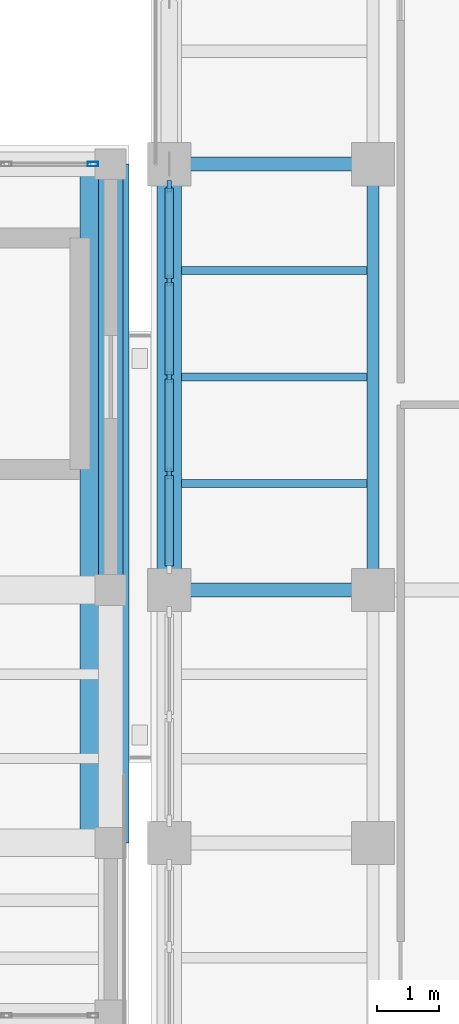
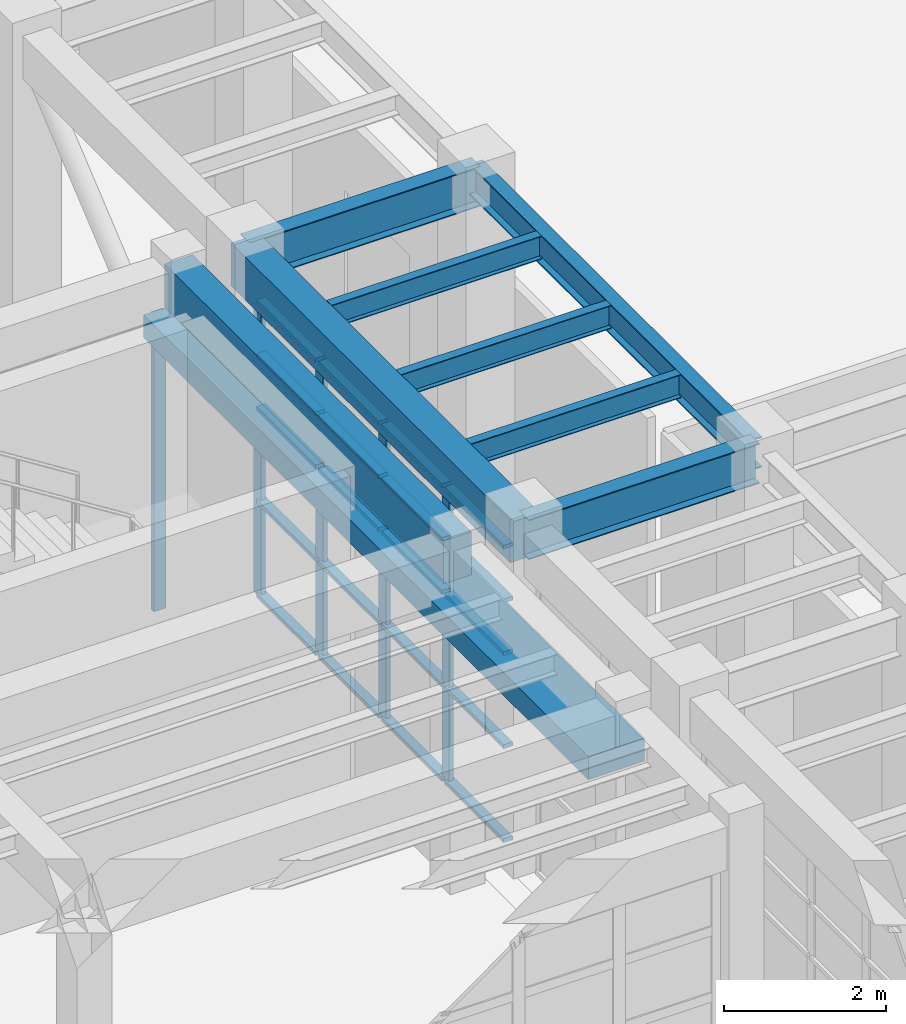
# One storey, part 38 of 103: 25 members, 9 beams, 2 elements without a shape of their own.
"""IFC4 building model written with IfcOpenShell, lengths in metres."""

from ifc_helpers import new_model, si_unit, direction, frame, origin, origin_2d, place, context, subcontext, project, spatial, rectangle, hollow_rectangle, i_section, extrude, material, layer, layer_set, material_profile, profile_set, type_object, element, aggregate, save


model = new_model("IFC4")

# Units and contexts
model_context = context("Model", 3, precision=1e-05, world=origin(), true_north=direction((0.0, 1.0)))
body_context = subcontext(model_context, "Body", "Model", "MODEL_VIEW")
ifc_project = project(units=[si_unit("LENGTHUNIT", "METRE"), si_unit("AREAUNIT", "SQUARE_METRE"), si_unit("VOLUMEUNIT", "CUBIC_METRE"), si_unit("PLANEANGLEUNIT", "RADIAN"), si_unit("MASSUNIT", "GRAM", prefix="KILO")], contexts=[model_context])

# Site, building, storey
site_placement = place(None, origin())
site = spatial("IfcSite", under=ifc_project, at=site_placement, CompositionType="ELEMENT")
building_placement = place(site_placement, origin())
building = spatial("IfcBuilding", under=site, at=building_placement, Name="Candilejo Ridge Gondola Terminal", CompositionType="ELEMENT")
storey_placement = place(building_placement, frame((0.0, 0.0, 9.0)))
storey = spatial("IfcBuildingStorey", under=building, at=storey_placement, Name="L02", CompositionType="ELEMENT", Elevation=9.0)

# Curtain wall, member
ifc_material_1 = material(Name="Anodised aluminium AA 6063-T6", Category="aluminium")
ifc_layer_1 = layer(ifc_material_1, 0.169921875)
ifc_layer_set_1 = layer_set([ifc_layer_1], Name="ARC-CW-GALLERY-3200-720X449")
curtain_wall_type_1 = type_object("IfcCurtainWallType", Name="ARC-CW-GALLERY-3200-720X449", PredefinedType="NOTDEFINED", material=ifc_layer_set_1)
curtain_wall_1_placement = place(storey_placement, origin())
curtain_wall_1 = element("IfcCurtainWall", 1, at=curtain_wall_1_placement, inside=storey, type_object=curtain_wall_type_1, Name="Curtain wall V3 L02-092", PredefinedType="NOTDEFINED")
ifc_material_2 = material(Name="Anodised aluminium AA 6063-T6", Category="aluminium")
ifc_material_profile_1 = material_profile(ifc_material_2, hollow_rectangle(XDim=0.074951171875, YDim=0.169921875, WallThickness=0.00390625, at=origin_2d()))
ifc_profile_set_1 = profile_set([ifc_material_profile_1], Name="Anodised aluminium AA 6063-T6")
member_type_1 = type_object("IfcMemberType", Name="ARC-CW-MULLION", PredefinedType="MULLION", material=ifc_profile_set_1)
member_1_placement = place(storey_placement, frame((132.66259765625, 36.699951171875, 0.0), z_axis=(0.0, 0.0, 1.0), x_axis=(0.0, 1.0, 0.0)))
member_1 = element("IfcMember", 2, at=member_1_placement, type_object=member_type_1, Name="CW-72X44 mullion 6", PredefinedType="MULLION", context=body_context, shape_type="SweptSolid", body=[
    extrude(hollow_rectangle(XDim=0.074951171875, YDim=0.169921875, WallThickness=0.00390625, at=origin_2d()), origin(), (0.0, 0.0, 1.0), 4.489990234375),
])
aggregate(curtain_wall_1, [member_1])

# Curtain wall, members
ifc_material_3 = material(Name="Anodised aluminium AA 6063-T6", Category="aluminium")
ifc_layer_2 = layer(ifc_material_3, 0.169921875)
ifc_layer_set_2 = layer_set([ifc_layer_2], Name="ARC-CW-HALL-3800-625X449")
curtain_wall_type_2 = type_object("IfcCurtainWallType", Name="ARC-CW-HALL-3800-625X449", PredefinedType="NOTDEFINED", material=ifc_layer_set_2)
curtain_wall_2_placement = place(storey_placement, origin())
curtain_wall_2 = element("IfcCurtainWall", 3, at=curtain_wall_2_placement, inside=storey, type_object=curtain_wall_type_2, Name="Curtain wall V4 L02-139", PredefinedType="NOTDEFINED")
ifc_material_4 = material(Name="Anodised aluminium AA 6063-T6", Category="aluminium")
ifc_material_profile_2 = material_profile(ifc_material_4, rectangle(XDim=0.06494140625, YDim=0.179931640625, at=origin_2d()))
ifc_profile_set_2 = profile_set([ifc_material_profile_2], Name="Anodised aluminium AA 6063-T6")
member_type_2 = type_object("IfcMemberType", Name="ARC-CW-MULLION-180", PredefinedType="MULLION", material=ifc_profile_set_2)
member_2_placement = place(storey_placement, frame((133.89990234375, 31.6875, 0.0), z_axis=(0.0, 0.0, 1.0), x_axis=(-1.0, 0.0, 0.0)))
member_2 = element("IfcMember", 4, at=member_2_placement, type_object=member_type_2, Name="CW-62X44 mullion 2", PredefinedType="MULLION", context=body_context, shape_type="SweptSolid", body=[
    extrude(rectangle(XDim=0.06494140625, YDim=0.179931640625, at=origin_2d()), origin(), (0.0, 0.0, 1.0), 4.489990234375),
])
member_3_placement = place(storey_placement, frame((133.89990234375, 33.25, 0.0), z_axis=(0.0, 0.0, 1.0), x_axis=(-1.0, 0.0, 0.0)))
member_3 = element("IfcMember", 5, at=member_3_placement, type_object=member_type_2, Name="CW-62X44 mullion 3", PredefinedType="MULLION", context=body_context, shape_type="SweptSolid", body=[
    extrude(rectangle(XDim=0.06494140625, YDim=0.179931640625, at=origin_2d()), origin(), (0.0, 0.0, 1.0), 4.489990234375),
])
member_4_placement = place(storey_placement, frame((133.89990234375, 34.8125, 0.0), z_axis=(0.0, 0.0, 1.0), x_axis=(-1.0, 0.0, 0.0)))
member_4 = element("IfcMember", 6, at=member_4_placement, type_object=member_type_2, Name="CW-62X44 mullion 4", PredefinedType="MULLION", context=body_context, shape_type="SweptSolid", body=[
    extrude(rectangle(XDim=0.06494140625, YDim=0.179931640625, at=origin_2d()), origin(), (0.0, 0.0, 1.0), 4.489990234375),
])
member_5_placement = place(storey_placement, frame((133.89990234375, 36.342529296875, 0.0), z_axis=(0.0, 0.0, 1.0), x_axis=(-1.0, 0.0, 0.0)))
member_5 = element("IfcMember", 7, at=member_5_placement, type_object=member_type_2, Name="CW-62X44 mullion 5", PredefinedType="MULLION", context=body_context, shape_type="SweptSolid", body=[
    extrude(rectangle(XDim=0.06494140625, YDim=0.179931640625, at=origin_2d()), origin(), (0.0, 0.0, 1.0), 4.489990234375),
])
ifc_material_5 = material(Name="Anodised aluminium AA 6063-T6", Category="aluminium")
ifc_material_profile_3 = material_profile(ifc_material_5, rectangle(XDim=0.1298828125, YDim=0.06005859375, at=origin_2d()))
ifc_profile_set_3 = profile_set([ifc_material_profile_3], Name="Anodised aluminium AA 6063-T6")
member_type_3 = type_object("IfcMemberType", Name="ARC-CW-TRANSOM-130", PredefinedType="USERDEFINED", material=ifc_profile_set_3)
member_6_placement = place(storey_placement, frame((133.89990234375, 30.18994140625, 0.030029296875), z_axis=(0.0, 1.0, 0.0), x_axis=(-1.0, 0.0, 0.0)))
member_6 = element("IfcMember", 8, at=member_6_placement, type_object=member_type_3, Name="CW-62X44 transom 1.1", ObjectType="TRANSOM", PredefinedType="USERDEFINED", context=body_context, shape_type="SweptSolid", body=[
    extrude(rectangle(XDim=0.1298828125, YDim=0.06005859375, at=origin_2d()), origin(), (0.0, 0.0, 1.0), 1.465087890625),
])
member_7_placement = place(storey_placement, frame((133.89990234375, 30.18994140625, 1.449951171875), z_axis=(0.0, 1.0, 0.0), x_axis=(-1.0, 0.0, 0.0)))
member_7 = element("IfcMember", 9, at=member_7_placement, type_object=member_type_3, Name="CW-62X44 transom 1.2", ObjectType="TRANSOM", PredefinedType="USERDEFINED", context=body_context, shape_type="SweptSolid", body=[
    extrude(rectangle(XDim=0.1298828125, YDim=0.06005859375, at=origin_2d()), origin(), (0.0, 0.0, 1.0), 1.465087890625),
])
member_8_placement = place(storey_placement, frame((133.89990234375, 30.18994140625, 2.85009765625), z_axis=(0.0, 1.0, 0.0), x_axis=(-1.0, 0.0, 0.0)))
member_8 = element("IfcMember", 10, at=member_8_placement, type_object=member_type_3, Name="CW-62X44 transom 1.3", ObjectType="TRANSOM", PredefinedType="USERDEFINED", context=body_context, shape_type="SweptSolid", body=[
    extrude(rectangle(XDim=0.1298828125, YDim=0.06005859375, at=origin_2d()), origin(), (0.0, 0.0, 1.0), 1.465087890625),
])
member_9_placement = place(storey_placement, frame((133.89990234375, 30.18994140625, 3.64990234375), z_axis=(0.0, 1.0, 0.0), x_axis=(-1.0, 0.0, 0.0)))
member_9 = element("IfcMember", 11, at=member_9_placement, type_object=member_type_3, Name="CW-62X44 transom 1.4", ObjectType="TRANSOM", PredefinedType="USERDEFINED", context=body_context, shape_type="SweptSolid", body=[
    extrude(rectangle(XDim=0.1298828125, YDim=0.06005859375, at=origin_2d()), origin(), (0.0, 0.0, 1.0), 1.465087890625),
])
member_10_placement = place(storey_placement, frame((133.89990234375, 30.18994140625, 4.4599609375), z_axis=(0.0, 1.0, 0.0), x_axis=(-1.0, 0.0, 0.0)))
member_10 = element("IfcMember", 12, at=member_10_placement, type_object=member_type_3, Name="CW-62X44 transom 1.5", ObjectType="TRANSOM", PredefinedType="USERDEFINED", context=body_context, shape_type="SweptSolid", body=[
    extrude(rectangle(XDim=0.1298828125, YDim=0.06005859375, at=origin_2d()), origin(), (0.0, 0.0, 1.0), 1.465087890625),
])
member_11_placement = place(storey_placement, frame((133.89990234375, 31.719970703125, 0.030029296875), z_axis=(0.0, 1.0, 0.0), x_axis=(-1.0, 0.0, 0.0)))
member_11 = element("IfcMember", 13, at=member_11_placement, type_object=member_type_3, Name="CW-62X44 transom 2.1", ObjectType="TRANSOM", PredefinedType="USERDEFINED", context=body_context, shape_type="SweptSolid", body=[
    extrude(rectangle(XDim=0.1298828125, YDim=0.06005859375, at=origin_2d()), origin(), (0.0, 0.0, 1.0), 1.49755859375),
])
member_12_placement = place(storey_placement, frame((133.89990234375, 31.719970703125, 1.449951171875), z_axis=(0.0, 1.0, 0.0), x_axis=(-1.0, 0.0, 0.0)))
member_12 = element("IfcMember", 14, at=member_12_placement, type_object=member_type_3, Name="CW-62X44 transom 2.2", ObjectType="TRANSOM", PredefinedType="USERDEFINED", context=body_context, shape_type="SweptSolid", body=[
    extrude(rectangle(XDim=0.1298828125, YDim=0.06005859375, at=origin_2d()), origin(), (0.0, 0.0, 1.0), 1.49755859375),
])
member_13_placement = place(storey_placement, frame((133.89990234375, 31.719970703125, 2.85009765625), z_axis=(0.0, 1.0, 0.0), x_axis=(-1.0, 0.0, 0.0)))
member_13 = element("IfcMember", 15, at=member_13_placement, type_object=member_type_3, Name="CW-62X44 transom 2.3", ObjectType="TRANSOM", PredefinedType="USERDEFINED", context=body_context, shape_type="SweptSolid", body=[
    extrude(rectangle(XDim=0.1298828125, YDim=0.06005859375, at=origin_2d()), origin(), (0.0, 0.0, 1.0), 1.49755859375),
])
member_14_placement = place(storey_placement, frame((133.89990234375, 31.719970703125, 3.64990234375), z_axis=(0.0, 1.0, 0.0), x_axis=(-1.0, 0.0, 0.0)))
member_14 = element("IfcMember", 16, at=member_14_placement, type_object=member_type_3, Name="CW-62X44 transom 2.4", ObjectType="TRANSOM", PredefinedType="USERDEFINED", context=body_context, shape_type="SweptSolid", body=[
    extrude(rectangle(XDim=0.1298828125, YDim=0.06005859375, at=origin_2d()), origin(), (0.0, 0.0, 1.0), 1.49755859375),
])
member_15_placement = place(storey_placement, frame((133.89990234375, 31.719970703125, 4.4599609375), z_axis=(0.0, 1.0, 0.0), x_axis=(-1.0, 0.0, 0.0)))
member_15 = element("IfcMember", 17, at=member_15_placement, type_object=member_type_3, Name="CW-62X44 transom 2.5", ObjectType="TRANSOM", PredefinedType="USERDEFINED", context=body_context, shape_type="SweptSolid", body=[
    extrude(rectangle(XDim=0.1298828125, YDim=0.06005859375, at=origin_2d()), origin(), (0.0, 0.0, 1.0), 1.49755859375),
])
member_16_placement = place(storey_placement, frame((133.89990234375, 33.282470703125, 0.030029296875), z_axis=(0.0, 1.0, 0.0), x_axis=(-1.0, 0.0, 0.0)))
member_16 = element("IfcMember", 18, at=member_16_placement, type_object=member_type_3, Name="CW-62X44 transom 3.1", ObjectType="TRANSOM", PredefinedType="USERDEFINED", context=body_context, shape_type="SweptSolid", body=[
    extrude(rectangle(XDim=0.1298828125, YDim=0.06005859375, at=origin_2d()), origin(), (0.0, 0.0, 1.0), 1.49755859375),
])
member_17_placement = place(storey_placement, frame((133.89990234375, 33.282470703125, 1.449951171875), z_axis=(0.0, 1.0, 0.0), x_axis=(-1.0, 0.0, 0.0)))
member_17 = element("IfcMember", 19, at=member_17_placement, type_object=member_type_3, Name="CW-62X44 transom 3.2", ObjectType="TRANSOM", PredefinedType="USERDEFINED", context=body_context, shape_type="SweptSolid", body=[
    extrude(rectangle(XDim=0.1298828125, YDim=0.06005859375, at=origin_2d()), origin(), (0.0, 0.0, 1.0), 1.49755859375),
])
member_18_placement = place(storey_placement, frame((133.89990234375, 33.282470703125, 2.85009765625), z_axis=(0.0, 1.0, 0.0), x_axis=(-1.0, 0.0, 0.0)))
member_18 = element("IfcMember", 20, at=member_18_placement, type_object=member_type_3, Name="CW-62X44 transom 3.3", ObjectType="TRANSOM", PredefinedType="USERDEFINED", context=body_context, shape_type="SweptSolid", body=[
    extrude(rectangle(XDim=0.1298828125, YDim=0.06005859375, at=origin_2d()), origin(), (0.0, 0.0, 1.0), 1.49755859375),
])
member_19_placement = place(storey_placement, frame((133.89990234375, 33.282470703125, 3.64990234375), z_axis=(0.0, 1.0, 0.0), x_axis=(-1.0, 0.0, 0.0)))
member_19 = element("IfcMember", 21, at=member_19_placement, type_object=member_type_3, Name="CW-62X44 transom 3.4", ObjectType="TRANSOM", PredefinedType="USERDEFINED", context=body_context, shape_type="SweptSolid", body=[
    extrude(rectangle(XDim=0.1298828125, YDim=0.06005859375, at=origin_2d()), origin(), (0.0, 0.0, 1.0), 1.49755859375),
])
member_20_placement = place(storey_placement, frame((133.89990234375, 33.282470703125, 4.4599609375), z_axis=(0.0, 1.0, 0.0), x_axis=(-1.0, 0.0, 0.0)))
member_20 = element("IfcMember", 22, at=member_20_placement, type_object=member_type_3, Name="CW-62X44 transom 3.5", ObjectType="TRANSOM", PredefinedType="USERDEFINED", context=body_context, shape_type="SweptSolid", body=[
    extrude(rectangle(XDim=0.1298828125, YDim=0.06005859375, at=origin_2d()), origin(), (0.0, 0.0, 1.0), 1.49755859375),
])
member_21_placement = place(storey_placement, frame((133.89990234375, 34.844970703125, 0.030029296875), z_axis=(0.0, 1.0, 0.0), x_axis=(-1.0, 0.0, 0.0)))
member_21 = element("IfcMember", 23, at=member_21_placement, type_object=member_type_3, Name="CW-62X44 transom 4.1", ObjectType="TRANSOM", PredefinedType="USERDEFINED", context=body_context, shape_type="SweptSolid", body=[
    extrude(rectangle(XDim=0.1298828125, YDim=0.06005859375, at=origin_2d()), origin(), (0.0, 0.0, 1.0), 1.465087890625),
])
member_22_placement = place(storey_placement, frame((133.89990234375, 34.844970703125, 1.449951171875), z_axis=(0.0, 1.0, 0.0), x_axis=(-1.0, 0.0, 0.0)))
member_22 = element("IfcMember", 24, at=member_22_placement, type_object=member_type_3, Name="CW-62X44 transom 4.2", ObjectType="TRANSOM", PredefinedType="USERDEFINED", context=body_context, shape_type="SweptSolid", body=[
    extrude(rectangle(XDim=0.1298828125, YDim=0.06005859375, at=origin_2d()), origin(), (0.0, 0.0, 1.0), 1.465087890625),
])
member_23_placement = place(storey_placement, frame((133.89990234375, 34.844970703125, 2.85009765625), z_axis=(0.0, 1.0, 0.0), x_axis=(-1.0, 0.0, 0.0)))
member_23 = element("IfcMember", 25, at=member_23_placement, type_object=member_type_3, Name="CW-62X44 transom 4.3", ObjectType="TRANSOM", PredefinedType="USERDEFINED", context=body_context, shape_type="SweptSolid", body=[
    extrude(rectangle(XDim=0.1298828125, YDim=0.06005859375, at=origin_2d()), origin(), (0.0, 0.0, 1.0), 1.465087890625),
])
member_24_placement = place(storey_placement, frame((133.89990234375, 34.844970703125, 3.64990234375), z_axis=(0.0, 1.0, 0.0), x_axis=(-1.0, 0.0, 0.0)))
member_24 = element("IfcMember", 26, at=member_24_placement, type_object=member_type_3, Name="CW-62X44 transom 4.4", ObjectType="TRANSOM", PredefinedType="USERDEFINED", context=body_context, shape_type="SweptSolid", body=[
    extrude(rectangle(XDim=0.1298828125, YDim=0.06005859375, at=origin_2d()), origin(), (0.0, 0.0, 1.0), 1.465087890625),
])
member_25_placement = place(storey_placement, frame((133.89990234375, 34.844970703125, 4.4599609375), z_axis=(0.0, 1.0, 0.0), x_axis=(-1.0, 0.0, 0.0)))
member_25 = element("IfcMember", 27, at=member_25_placement, type_object=member_type_3, Name="CW-62X44 transom 4.5", ObjectType="TRANSOM", PredefinedType="USERDEFINED", context=body_context, shape_type="SweptSolid", body=[
    extrude(rectangle(XDim=0.1298828125, YDim=0.06005859375, at=origin_2d()), origin(), (0.0, 0.0, 1.0), 1.465087890625),
])
aggregate(curtain_wall_2, [member_2, member_3, member_4, member_5, member_6, member_7, member_8, member_9, member_10, member_11, member_12, member_13, member_14, member_15, member_16, member_17, member_18, member_19, member_20, member_21, member_22, member_23, member_24, member_25])

# Beams
ifc_material_6 = material(Name="Steel ASTM A992 Grade 50", Category="steel")
ifc_material_profile_4 = material_profile(ifc_material_6, i_section(OverallWidth=0.19189453125, OverallDepth=0.462890625, WebThickness=0.010498046875, FlangeThickness=0.017578125, at=origin_2d()))
ifc_profile_set_4 = profile_set([ifc_material_profile_4], Name="Steel ASTM A992 Grade 50")
beam_type_1 = type_object("IfcBeamType", Name="STR-BM-W460X89", PredefinedType="BEAM", material=ifc_profile_set_4)
beam_1_placement = place(storey_placement, frame((137.199951171875, 29.800048828125, 4.928466796875), z_axis=(0.0, 1.0, 0.0), x_axis=(-1.0, 0.0, 0.0)))
element("IfcBeam", 28, at=beam_1_placement, inside=storey, type_object=beam_type_1, Name="Beam Y V4 L02 Y06-Y07@X22", PredefinedType="BEAM", context=body_context, shape_type="SweptSolid", body=[
    extrude(i_section(OverallWidth=0.19189453125, OverallDepth=0.462890625, WebThickness=0.010498046875, FlangeThickness=0.017578125, at=origin_2d()), origin(), (0.0, 0.0, 1.0), 6.89990234375),
])
ifc_material_7 = material(Name="Steel ASTM A992 Grade 50", Category="steel")
ifc_material_profile_5 = material_profile(ifc_material_7, i_section(OverallWidth=0.22802734375, OverallDepth=0.60302734375, WebThickness=0.010498046875, FlangeThickness=0.014892578125, at=origin_2d()))
ifc_profile_set_5 = profile_set([ifc_material_profile_5], Name="Steel ASTM A992 Grade 50")
beam_type_2 = type_object("IfcBeamType", Name="STR-BM-W610X101", PredefinedType="BEAM", material=ifc_profile_set_5)
for number, where, z_axis, x_axis, name in (
    (29, (133.89990234375, 29.800048828125, 4.8583984375), (1.0, 0.0, 0.0), (0.0, 1.0, 0.0), "Beam X V4 L02 X21-X22@Y06"),
    (30, (133.89990234375, 36.699951171875, 4.8583984375), (1.0, 0.0, 0.0), (0.0, 1.0, 0.0), "Beam X V4 L02 X21-X22@Y07"),
):
    element("IfcBeam", number, at=place(storey_placement, frame(where, z_axis=z_axis, x_axis=x_axis)), inside=storey, type_object=beam_type_2, Name=name, PredefinedType="BEAM", context=body_context, shape_type="SweptSolid", body=[
        extrude(i_section(OverallWidth=0.22802734375, OverallDepth=0.60302734375, WebThickness=0.010498046875, FlangeThickness=0.014892578125, at=origin_2d()), origin(), (0.0, 0.0, 1.0), 3.300048828125),
    ])
ifc_material_8 = material(Name="Concrete f'c 35 MPa (C35/45)", Category="concrete")
ifc_material_profile_6 = material_profile(ifc_material_8, rectangle(XDim=0.800048828125, YDim=0.35009765625, at=origin_2d()))
ifc_profile_set_6 = profile_set([ifc_material_profile_6], Name="Concrete f'c 35 MPa (C35/45)")
beam_type_3 = type_object("IfcBeamType", Name="STR-CRB-RC800X350", PredefinedType="SPANDREL", material=ifc_profile_set_6)
beam_2_placement = place(storey_placement, frame((132.85009765625, 25.699951171875, 4.3349609375), z_axis=(0.0, 1.0, 0.0), x_axis=(-1.0, 0.0, 0.0)))
element("IfcBeam", 31, at=beam_2_placement, inside=storey, type_object=beam_type_3, Name="Seismic bridge 800 mm RC corbel seat LB-SJ3-L03", PredefinedType="SPANDREL", context=body_context, shape_type="SweptSolid", body=[
    extrude(rectangle(XDim=0.800048828125, YDim=0.35009765625, at=origin_2d()), origin(), (0.0, 0.0, 1.0), 11.0),
])
ifc_material_9 = material(Name="Steel ASTM A992 Grade 50", Category="steel")
ifc_material_profile_7 = material_profile(ifc_material_9, i_section(OverallWidth=0.1279296875, OverallDepth=0.35302734375, WebThickness=0.006591796875, FlangeThickness=0.0107421875, at=origin_2d()))
ifc_profile_set_7 = profile_set([ifc_material_profile_7], Name="Steel ASTM A992 Grade 50")
beam_type_4 = type_object("IfcBeamType", Name="STR-JST-W360X39", PredefinedType="JOIST", material=ifc_profile_set_7)
for number, where, z_axis, x_axis, name in (
    (32, (134.10009765625, 31.52490234375, 4.9833984375), (1.0, 0.0, 0.0), (0.0, 1.0, 0.0), "Composite joist V4 L02-0977"),
    (33, (134.10009765625, 33.25, 4.9833984375), (1.0, 0.0, 0.0), (0.0, 1.0, 0.0), "Composite joist V4 L02-0978"),
    (34, (134.10009765625, 34.97509765625, 4.9833984375), (1.0, 0.0, 0.0), (0.0, 1.0, 0.0), "Composite joist V4 L02-0979"),
):
    element("IfcBeam", number, at=place(storey_placement, frame(where, z_axis=z_axis, x_axis=x_axis)), inside=storey, type_object=beam_type_4, Name=name, PredefinedType="JOIST", context=body_context, shape_type="SweptSolid", body=[
        extrude(i_section(OverallWidth=0.1279296875, OverallDepth=0.35302734375, WebThickness=0.006591796875, FlangeThickness=0.0107421875, at=origin_2d()), origin(), (0.0, 0.0, 1.0), 3.00390625),
    ])
ifc_material_10 = material(Name="Concrete f'c 35 MPa (C35/45)", Category="concrete")
ifc_material_profile_8 = material_profile(ifc_material_10, rectangle(XDim=0.39990234375, YDim=0.64990234375, at=origin_2d()))
ifc_profile_set_8 = profile_set([ifc_material_profile_8], Name="Concrete f'c 35 MPa (C35/45)")
beam_type_5 = type_object("IfcBeamType", Name="STR-SPN-RC400X650", PredefinedType="SPANDREL", material=ifc_profile_set_8)
for number, where, z_axis, x_axis, name in (
    (35, (132.949951171875, 29.800048828125, 4.85009765625), (0.0, 1.0, 0.0), (-1.0, 0.0, 0.0), "Beam Y V3 L02 Y06-Y07@X20"),
    (36, (133.89990234375, 29.800048828125, 4.8349609375), (0.0, 1.0, 0.0), (-1.0, 0.0, 0.0), "Beam Y V4 L02 Y06-Y07@X21"),
):
    element("IfcBeam", number, at=place(storey_placement, frame(where, z_axis=z_axis, x_axis=x_axis)), inside=storey, type_object=beam_type_5, Name=name, PredefinedType="SPANDREL", context=body_context, shape_type="SweptSolid", body=[
        extrude(rectangle(XDim=0.39990234375, YDim=0.64990234375, at=origin_2d()), origin(), (0.0, 0.0, 1.0), 6.89990234375),
    ])

save(model, "model.ifc")
